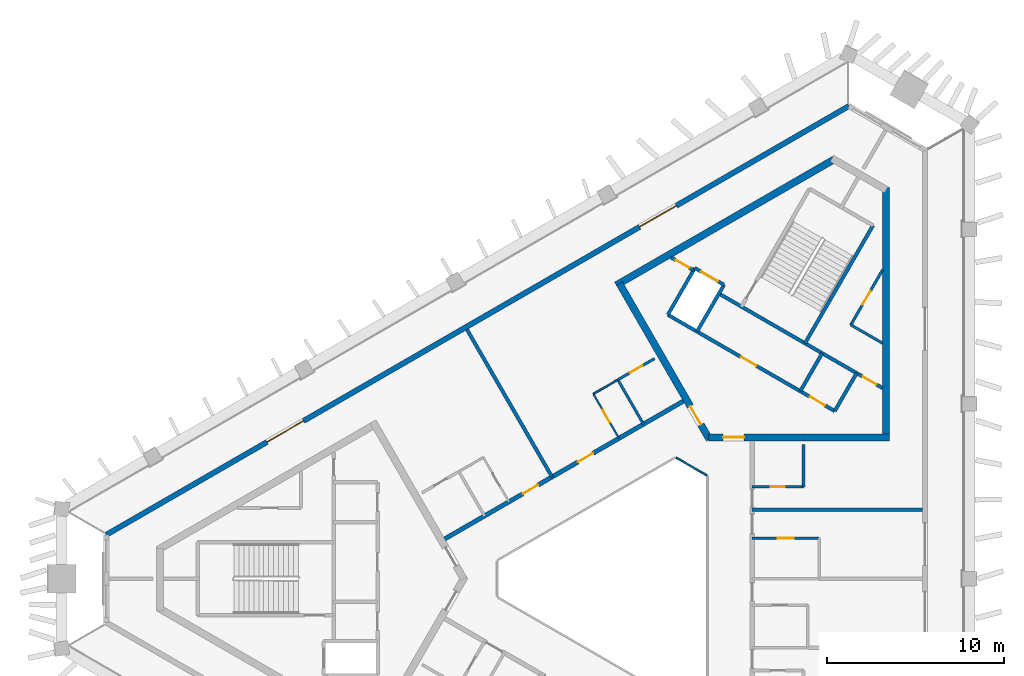
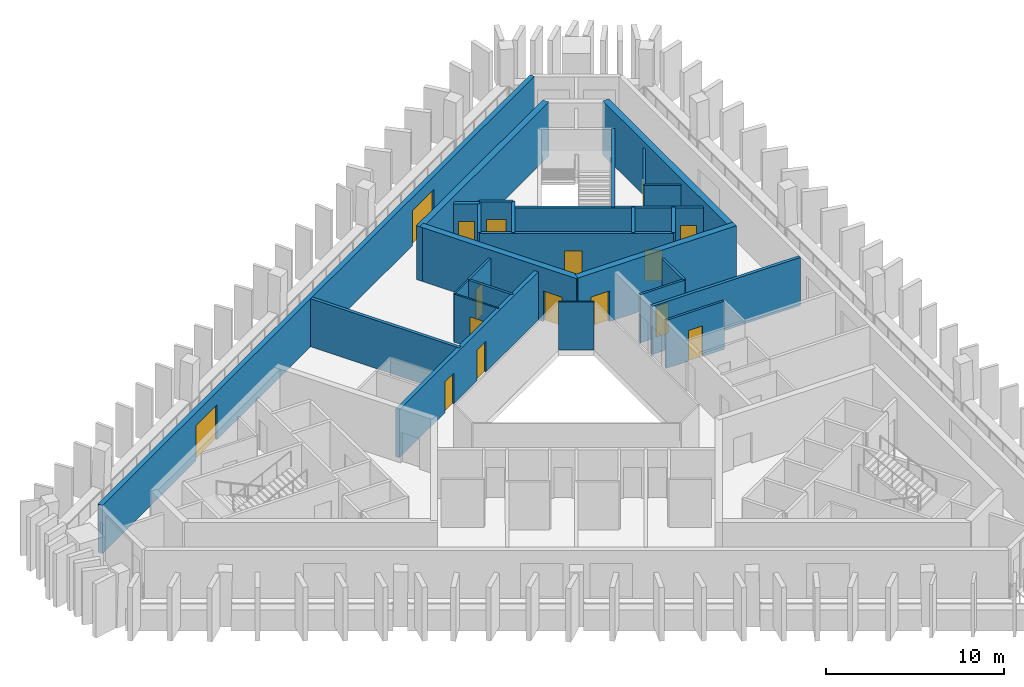
# One storey, part 5 of 9: 27 walls, 16 doors, 16 openings.
"""IFC4 building model written with IfcOpenShell, lengths in metres."""

from ifc_helpers import new_model, si_unit, direction, frame, frame_2d, origin, place, context, subcontext, project, spatial, rectangle, extrude, material, layer, layer_set, type_object, element, fill, save


model = new_model("IFC4")

# Units and contexts
model_context = context("Model", 3, precision=1e-05, world=origin(), true_north=direction((0.0, 1.0)))
body_context = subcontext(model_context, "Body", "Model", "MODEL_VIEW")
ifc_project = project(units=[si_unit("LENGTHUNIT", "METRE"), si_unit("AREAUNIT", "SQUARE_METRE"), si_unit("VOLUMEUNIT", "CUBIC_METRE"), si_unit("PLANEANGLEUNIT", "RADIAN"), si_unit("MASSUNIT", "GRAM", prefix="KILO")], contexts=[model_context])

# Site, building, storey
site_placement = place(None, origin())
site = spatial("IfcSite", under=ifc_project, at=site_placement, CompositionType="ELEMENT")
building_placement = place(site_placement, origin())
building = spatial("IfcBuilding", under=site, at=building_placement, Name="Jabali Bay Hotel Tower and Convention Centre", CompositionType="ELEMENT")
storey_placement = place(building_placement, frame((0.0, 0.0, 259.0)))
storey = spatial("IfcBuildingStorey", under=building, at=storey_placement, Name="L63", CompositionType="ELEMENT", Elevation=259.0)

# Wall
ifc_material_1 = material(Name="Fire-resistant glazing", Category="glass")
ifc_layer_1 = layer(ifc_material_1, 0.10009765625)
ifc_layer_set_1 = layer_set([ifc_layer_1], Name="Fire-resistant glazing")
wall_type_1 = type_object("IfcWallType", Name="Atrium glazed screen 100", PredefinedType="PARTITIONING", material=ifc_layer_set_1)
wall_1_placement = place(storey_placement, frame((79.530029296875, 85.84619140625, 0.0), z_axis=(0.0, 0.0, 1.0), x_axis=(-0.866041268327, 0.499972520799, 0.0)))
element("IfcWall", 1, at=wall_1_placement, inside=storey, type_object=wall_type_1, Name="Atrium screen 2 L63", PredefinedType="PARTITIONING", context=body_context, shape_type="SweptSolid", body=[
    extrude(rectangle(XDim=2.0, YDim=0.10009765625, at=frame_2d((1.0, 0.0))), origin(), (0.0, 0.0, 1.0), 3.300048828125),
])

# Wall, opening, door
ifc_material_2 = material(Name="Concrete C40", Category="concrete")
ifc_layer_2 = layer(ifc_material_2, 0.199951171875)
ifc_layer_set_2 = layer_set([ifc_layer_2], Name="Concrete C40")
wall_type_2 = type_object("IfcWallType", Name="Core partition wall 200", PredefinedType="PARTITIONING", material=ifc_layer_set_2)
wall_2_placement = place(storey_placement, frame((78.7802734375, 97.447509765625, 0.0), z_axis=(0.0, 0.0, 1.0), x_axis=(-0.866045896294, 0.499964504253, 0.0)))
wall_2 = element("IfcWall", 2, at=wall_2_placement, inside=storey, type_object=wall_type_2, Name="Core wall 1.10 L63", PredefinedType="PARTITIONING", context=body_context, shape_type="SweptSolid", body=[
    extrude(rectangle(XDim=1.455078125, YDim=0.199951171875, at=frame_2d((0.7275390625, 0.0))), origin(), (0.0, 0.0, 1.0), 3.300048828125),
])
opening_1_placement = place(wall_2_placement, frame((0.277587890625, 0.0, 0.0)))
opening_1 = element("IfcOpeningElement", 3, at=opening_1_placement, cuts=wall_2, Name="Opening D1389", PredefinedType="OPENING", context=body_context, shape_type="SweptSolid", body=[
    extrude(rectangle(XDim=0.89990234375, YDim=2.10009765625, at=frame_2d((0.449951171875, 1.050048828125))), frame((0.0, 0.1103515625, 0.0), z_axis=(0.0, -1.0, 0.0), x_axis=(1.0, 0.0, 0.0)), (0.0, 0.0, 1.0), 0.220947265625),
])
ifc_material_3 = material(Name="Fire-rated steel door", Category="steel")
door_type_1 = type_object("IfcDoorType", Name="Vestibule fire door 900 x 2100", OperationType="NOTDEFINED", PredefinedType="NOTDEFINED", material=ifc_material_3)
door_1_placement = place(opening_1_placement, origin())
door_1 = element("IfcDoor", 4, at=door_1_placement, inside=storey, type_object=door_type_1, Name="Vestibule fire door D1389", OperationType="SINGLE_SWING_LEFT", OverallHeight=2.10009765625, OverallWidth=0.89990234375, PredefinedType="NOTDEFINED", context=body_context, shape_type="SweptSolid", body=[
    extrude(rectangle(XDim=0.89990234375, YDim=2.10009765625, at=frame_2d((0.449951171875, 1.050048828125))), frame((0.0, 0.02490234375, 0.0), z_axis=(0.0, -1.0, 0.0), x_axis=(1.0, 0.0, 0.0)), (0.0, 0.0, 1.0), 0.050048828125),
])
fill(opening_1, door_1)

ifc_material_4 = material(Name="Fire-rated board partition")
ifc_layer_3 = layer(ifc_material_4, 0.14990234375)
ifc_layer_set_3 = layer_set([ifc_layer_3], Name="Fire-rated board partition")
wall_type_3 = type_object("IfcWallType", Name="Core room partition 150", PredefinedType="PARTITIONING", material=ifc_layer_set_3)
wall_3_placement = place(storey_placement, frame((87.680908203125, 94.364013671875, 0.0), z_axis=(0.0, 0.0, 1.0), x_axis=(0.500014173611, 0.866017220491, 0.0)))
wall_3 = element("IfcWall", 5, at=wall_3_placement, inside=storey, type_object=wall_type_3, Name="Core wall 1.1 L63", PredefinedType="PARTITIONING", context=body_context, shape_type="SweptSolid", body=[
    extrude(rectangle(XDim=3.59814453125, YDim=0.14990234375, at=frame_2d((1.799072265625, 0.0))), origin(), (0.0, 0.0, 1.0), 3.300048828125),
])
opening_2_placement = place(wall_3_placement, frame((1.321533203125, 0.0, 0.0)))
opening_2 = element("IfcOpeningElement", 6, at=opening_2_placement, cuts=wall_3, Name="Opening D1392", PredefinedType="OPENING", context=body_context, shape_type="SweptSolid", body=[
    extrude(rectangle(XDim=0.89990234375, YDim=2.10009765625, at=frame_2d((0.449951171875, 1.050048828125))), frame((0.0, 0.08544921875, 0.0), z_axis=(0.0, -1.0, 0.0), x_axis=(1.0, 0.0, 0.0)), (0.0, 0.0, 1.0), 0.1708984375),
])
door_type_2 = type_object("IfcDoorType", Name="Core room door 900 x 2100", OperationType="NOTDEFINED", PredefinedType="NOTDEFINED", material=ifc_material_3)
door_2_placement = place(opening_2_placement, origin())
door_2 = element("IfcDoor", 7, at=door_2_placement, inside=storey, type_object=door_type_2, Name="Core room door D1392", OperationType="SINGLE_SWING_LEFT", OverallHeight=2.10009765625, OverallWidth=0.89990234375, PredefinedType="NOTDEFINED", context=body_context, shape_type="SweptSolid", body=[
    extrude(rectangle(XDim=0.89990234375, YDim=2.10009765625, at=frame_2d((0.449951171875, 1.050048828125))), frame((0.0, 0.02490234375, 0.0), z_axis=(0.0, -1.0, 0.0), x_axis=(1.0, 0.0, 0.0)), (0.0, 0.0, 1.0), 0.050048828125),
])
fill(opening_2, door_2)

# Walls
wall_4_placement = place(storey_placement, frame((89.47998046875, 93.3251953125, 0.0), z_axis=(0.0, 0.0, 1.0), x_axis=(-0.865999660441, 0.500044586128, 0.0)))
element("IfcWall", 8, at=wall_4_placement, inside=storey, type_object=wall_type_3, Name="Core wall 1.12 L63", PredefinedType="PARTITIONING", context=body_context, shape_type="SweptSolid", body=[
    extrude(rectangle(XDim=2.077392578125, YDim=0.14990234375, at=frame_2d((1.03857421875, 0.0))), origin(), (0.0, 0.0, 1.0), 3.300048828125),
])
ifc_layer_4 = layer(ifc_material_2, 0.199951171875)
ifc_layer_set_4 = layer_set([ifc_layer_4], Name="Concrete C40")
wall_type_4 = type_object("IfcWallType", Name="Core stair wall 200", PredefinedType="SOLIDWALL", material=ifc_layer_set_4)
for number, where, z_axis, x_axis, name in (
    (9, (86.769775390625, 89.48583984375, 0.0), (0.0, 0.0, 1.0), (0.499961042966, 0.86604789447, 0.0), "Core wall 1.0 L63"),
    (10, (84.8212890625, 90.61083984375, 0.0), (0.0, 0.0, 1.0), (0.499961042966, 0.86604789447, 0.0), "Core wall 1.2 L63"),
):
    element("IfcWall", number, at=place(storey_placement, frame(where, z_axis=z_axis, x_axis=x_axis)), inside=storey, type_object=wall_type_4, Name=name, PredefinedType="SOLIDWALL", context=body_context, shape_type="SweptSolid", body=[
        extrude(rectangle(XDim=2.480224609375, YDim=0.199951171875, at=frame_2d((1.240234375, 0.0))), origin(), (0.0, 0.0, 1.0), 3.300048828125),
    ])
wall_5_placement = place(storey_placement, frame((85.0869140625, 93.3212890625, 0.0), z_axis=(0.0, 0.0, 1.0), x_axis=(0.500019787375, 0.866013979237, 0.0)))
element("IfcWall", 11, at=wall_5_placement, inside=storey, type_object=wall_type_4, Name="Core wall 1.3 L63", PredefinedType="SOLIDWALL", context=body_context, shape_type="SweptSolid", body=[
    extrude(rectangle(XDim=7.699951171875, YDim=0.199951171875, at=frame_2d((3.85009765625, 0.0))), origin(), (0.0, 0.0, 1.0), 3.300048828125),
])
for number, where, z_axis, x_axis, name in (
    (12, (78.9755859375, 93.98583984375, 0.0), (0.0, 0.0, 1.0), (0.499944174705, 0.866057632134, 0.0), "Core wall 1.6 L63"),
    (13, (77.330078125, 94.93603515625, 0.0), (0.0, 0.0, 1.0), (0.500038867431, 0.8660029625, 0.0), "Core wall 1.7 L63"),
):
    element("IfcWall", number, at=place(storey_placement, frame(where, z_axis=z_axis, x_axis=x_axis)), inside=storey, type_object=wall_type_4, Name=name, PredefinedType="SOLIDWALL", context=body_context, shape_type="SweptSolid", body=[
        extrude(rectangle(XDim=3.050048828125, YDim=0.199951171875, at=frame_2d((1.52490234375, 0.0))), origin(), (0.0, 0.0, 1.0), 3.300048828125),
    ])

# Wall, openings, doors
wall_6_placement = place(storey_placement, frame((86.769775390625, 89.48583984375, 0.0), z_axis=(0.0, 0.0, 1.0), x_axis=(-0.86601811187, 0.500012629753, 0.0)))
wall_6 = element("IfcWall", 14, at=wall_6_placement, inside=storey, type_object=wall_type_4, Name="Core wall 1.8 L63", PredefinedType="SOLIDWALL", context=body_context, shape_type="SweptSolid", body=[
    extrude(rectangle(XDim=10.900146484375, YDim=0.199951171875, at=frame_2d((5.4501953125, 0.0))), origin(), (0.0, 0.0, 1.0), 3.300048828125),
])
opening_3_placement = place(wall_6_placement, frame((0.625, 0.0, 0.0)))
opening_3 = element("IfcOpeningElement", 15, at=opening_3_placement, cuts=wall_6, Name="Opening D1387", PredefinedType="OPENING", context=body_context, shape_type="SweptSolid", body=[
    extrude(rectangle(XDim=1.0, YDim=2.10009765625, at=frame_2d((0.5, 1.050048828125))), frame((0.0, 0.1103515625, 0.0), z_axis=(0.0, -1.0, 0.0), x_axis=(1.0, 0.0, 0.0)), (0.0, 0.0, 1.0), 0.220947265625),
])
opening_4_placement = place(wall_6_placement, frame((5.125, 0.0, 0.0)))
opening_4 = element("IfcOpeningElement", 16, at=opening_4_placement, cuts=wall_6, Name="Opening D1388", PredefinedType="OPENING", context=body_context, shape_type="SweptSolid", body=[
    extrude(rectangle(XDim=1.0, YDim=2.10009765625, at=frame_2d((0.5, 1.050048828125))), frame((0.0, 0.1103515625, 0.0), z_axis=(0.0, -1.0, 0.0), x_axis=(1.0, 0.0, 0.0)), (0.0, 0.0, 1.0), 0.220947265625),
])
door_type_3 = type_object("IfcDoorType", Name="Core room door 1000 x 2100", OperationType="NOTDEFINED", PredefinedType="NOTDEFINED", material=ifc_material_3)
door_3_placement = place(opening_3_placement, origin())
door_3 = element("IfcDoor", 17, at=door_3_placement, inside=storey, type_object=door_type_3, Name="Core room door D1387", OperationType="SINGLE_SWING_RIGHT", OverallHeight=2.10009765625, OverallWidth=1.0, PredefinedType="NOTDEFINED", context=body_context, shape_type="SweptSolid", body=[
    extrude(rectangle(XDim=1.0, YDim=2.10009765625, at=frame_2d((0.5, 1.050048828125))), frame((0.0, 0.02490234375, 0.0), z_axis=(0.0, -1.0, 0.0), x_axis=(1.0, 0.0, 0.0)), (0.0, 0.0, 1.0), 0.050048828125),
])
fill(opening_3, door_3)
door_4_placement = place(opening_4_placement, origin())
door_4 = element("IfcDoor", 18, at=door_4_placement, inside=storey, type_object=door_type_3, Name="Core room door D1388", OperationType="SINGLE_SWING_RIGHT", OverallHeight=2.10009765625, OverallWidth=1.0, PredefinedType="NOTDEFINED", context=body_context, shape_type="SweptSolid", body=[
    extrude(rectangle(XDim=1.0, YDim=2.10009765625, at=frame_2d((0.5, 1.050048828125))), frame((0.0, 0.02490234375, 0.0), z_axis=(0.0, -1.0, 0.0), x_axis=(1.0, 0.0, 0.0)), (0.0, 0.0, 1.0), 0.050048828125),
])
fill(opening_4, door_4)

# Wall, opening, door
wall_7_placement = place(storey_placement, frame((89.47998046875, 90.784912109375, 0.0), z_axis=(0.0, 0.0, 1.0), x_axis=(-0.866022544512, 0.500004952373, 0.0)))
wall_7 = element("IfcWall", 19, at=wall_7_placement, inside=storey, type_object=wall_type_4, Name="Core wall 1.9 L63", PredefinedType="SOLIDWALL", context=body_context, shape_type="SweptSolid", body=[
    extrude(rectangle(XDim=10.69775390625, YDim=0.199951171875, at=frame_2d((5.348876953125, 0.0))), origin(), (0.0, 0.0, 1.0), 3.300048828125),
])
opening_5_placement = place(wall_7_placement, frame((0.398681640625, 0.0, 0.0)))
opening_5 = element("IfcOpeningElement", 20, at=opening_5_placement, cuts=wall_7, Name="Opening D1390", PredefinedType="OPENING", context=body_context, shape_type="SweptSolid", body=[
    extrude(rectangle(XDim=0.89990234375, YDim=2.10009765625, at=frame_2d((0.449951171875, 1.050048828125))), frame((0.0, 0.1103515625, 0.0), z_axis=(0.0, -1.0, 0.0), x_axis=(1.0, 0.0, 0.0)), (0.0, 0.0, 1.0), 0.220947265625),
])
door_5_placement = place(opening_5_placement, origin())
door_5 = element("IfcDoor", 21, at=door_5_placement, inside=storey, type_object=door_type_1, Name="Vestibule fire door D1390", OperationType="SINGLE_SWING_LEFT", OverallHeight=2.10009765625, OverallWidth=0.89990234375, PredefinedType="NOTDEFINED", context=body_context, shape_type="SweptSolid", body=[
    extrude(rectangle(XDim=0.89990234375, YDim=2.10009765625, at=frame_2d((0.449951171875, 1.050048828125))), frame((0.0, 0.02490234375, 0.0), z_axis=(0.0, -1.0, 0.0), x_axis=(1.0, 0.0, 0.0)), (0.0, 0.0, 1.0), 0.050048828125),
])
fill(opening_5, door_5)

wall_8_placement = place(storey_placement, frame((80.50048828125, 96.62744140625, 0.0), z_axis=(0.0, 0.0, 1.0), x_axis=(-0.86601224135, 0.500022797313, 0.0)))
wall_8 = element("IfcWall", 22, at=wall_8_placement, inside=storey, type_object=wall_type_4, Name="Core wall 1.11 L63", PredefinedType="SOLIDWALL", context=body_context, shape_type="SweptSolid", body=[
    extrude(rectangle(XDim=1.89990234375, YDim=0.199951171875, at=frame_2d((0.949951171875, 0.0))), origin(), (0.0, 0.0, 1.0), 3.300048828125),
])
opening_6_placement = place(wall_8_placement, frame((0.39990234375, 0.0, 0.0)))
opening_6 = element("IfcOpeningElement", 23, at=opening_6_placement, cuts=wall_8, Name="Opening LD10-L63", PredefinedType="OPENING", context=body_context, shape_type="SweptSolid", body=[
    extrude(rectangle(XDim=1.10009765625, YDim=2.10009765625, at=frame_2d((0.550048828125, 1.050048828125))), frame((0.0, 0.1103515625, 0.0), z_axis=(0.0, -1.0, 0.0), x_axis=(1.0, 0.0, 0.0)), (0.0, 0.0, 1.0), 0.220947265625),
])
ifc_material_5 = material(Name="Stainless steel landing door", Category="steel")
door_type_4 = type_object("IfcDoorType", Name="Landing door 1100 x 2100", OperationType="NOTDEFINED", PredefinedType="NOTDEFINED", material=ifc_material_5)
door_6_placement = place(opening_6_placement, origin())
door_6 = element("IfcDoor", 24, at=door_6_placement, inside=storey, type_object=door_type_4, Name="Landing doors LD10-L63", OperationType="SLIDING_TO_RIGHT", OverallHeight=2.10009765625, OverallWidth=1.10009765625, PredefinedType="NOTDEFINED", context=body_context, shape_type="SweptSolid", body=[
    extrude(rectangle(XDim=1.10009765625, YDim=2.10009765625, at=frame_2d((0.550048828125, 1.050048828125))), frame((0.0, 0.02490234375, 0.0), z_axis=(0.0, -1.0, 0.0), x_axis=(1.0, 0.0, 0.0)), (0.0, 0.0, 1.0), 0.050048828125),
])
fill(opening_6, door_6)

ifc_material_6 = material(Name="Concrete C60", Category="concrete")
ifc_layer_5 = layer(ifc_material_6, 0.39990234375)
ifc_layer_set_5 = layer_set([ifc_layer_5], Name="Concrete C60")
wall_type_5 = type_object("IfcWallType", Name="Core wall 400", PredefinedType="SHEAR", material=ifc_layer_set_5)
wall_9_placement = place(storey_placement, frame((79.615478515625, 87.994140625, 0.0), z_axis=(0.0, 0.0, 1.0), x_axis=(1.0, 0.0, 0.0)))
wall_9 = element("IfcWall", 25, at=wall_9_placement, inside=storey, type_object=wall_type_5, Name="Core wall 2.1 L63", PredefinedType="SHEAR", context=body_context, shape_type="SweptSolid", body=[
    extrude(rectangle(XDim=10.264404296875, YDim=0.39990234375, at=frame_2d((5.13232421875, 0.0))), origin(), (0.0, 0.0, 1.0), 3.699951171875),
])
opening_7_placement = place(wall_9_placement, frame((0.83447265625, 0.0, 0.0)))
opening_7 = element("IfcOpeningElement", 26, at=opening_7_placement, cuts=wall_9, Name="Opening D1385", PredefinedType="OPENING", context=body_context, shape_type="SweptSolid", body=[
    extrude(rectangle(XDim=1.199951171875, YDim=2.10009765625, at=frame_2d((0.60009765625, 1.050048828125))), frame((0.0, 0.21044921875, 0.0), z_axis=(0.0, -1.0, 0.0), x_axis=(1.0, 0.0, 0.0)), (0.0, 0.0, 1.0), 0.4208984375),
])
door_type_5 = type_object("IfcDoorType", Name="Corridor end fire door 1200 x 2100", OperationType="NOTDEFINED", PredefinedType="NOTDEFINED", material=ifc_material_3)
door_7_placement = place(opening_7_placement, origin())
door_7 = element("IfcDoor", 27, at=door_7_placement, inside=storey, type_object=door_type_5, Name="Corridor end fire door D1385", OperationType="SINGLE_SWING_RIGHT", OverallHeight=2.10009765625, OverallWidth=1.199951171875, PredefinedType="NOTDEFINED", context=body_context, shape_type="SweptSolid", body=[
    extrude(rectangle(XDim=1.199951171875, YDim=2.10009765625, at=frame_2d((0.60009765625, 1.050048828125))), frame((0.0, 0.02490234375, 0.0), z_axis=(0.0, -1.0, 0.0), x_axis=(1.0, 0.0, 0.0)), (0.0, 0.0, 1.0), 0.050048828125),
])
fill(opening_7, door_7)

# Walls
wall_10_placement = place(storey_placement, frame((89.679931640625, 87.994140625, 0.0), z_axis=(0.0, 0.0, 1.0), x_axis=(0.0, 1.0, 0.0)))
element("IfcWall", 28, at=wall_10_placement, inside=storey, type_object=wall_type_5, Name="Core wall 2.2 L63", PredefinedType="SHEAR", context=body_context, shape_type="SweptSolid", body=[
    extrude(rectangle(XDim=14.133544921875, YDim=0.39990234375, at=frame_2d((7.06689453125, 0.0))), origin(), (0.0, 0.0, 1.0), 3.699951171875),
])
wall_11_placement = place(storey_placement, frame((86.72314453125, 103.71923828125, 0.0), z_axis=(0.0, 0.0, 1.0), x_axis=(-0.866030317223, -0.499991489579, 0.0)))
element("IfcWall", 29, at=wall_11_placement, inside=storey, type_object=wall_type_5, Name="Core wall 2.4 L63", PredefinedType="SHEAR", context=body_context, shape_type="SweptSolid", body=[
    extrude(rectangle(XDim=14.218017578125, YDim=0.39990234375, at=frame_2d((7.10888671875, 0.0))), origin(), (0.0, 0.0, 1.0), 3.699951171875),
])

# Wall, opening, door
wall_12_placement = place(storey_placement, frame((74.583251953125, 96.71044921875, 0.0), z_axis=(0.0, 0.0, 1.0), x_axis=(0.499987488796, -0.866032627011, 0.0)))
wall_12 = element("IfcWall", 30, at=wall_12_placement, inside=storey, type_object=wall_type_5, Name="Core wall 2.5 L63", PredefinedType="SHEAR", context=body_context, shape_type="SweptSolid", body=[
    extrude(rectangle(XDim=10.179931640625, YDim=0.39990234375, at=frame_2d((5.08984375, 0.0))), origin(), (0.0, 0.0, 1.0), 3.699951171875),
])
opening_8_placement = place(wall_12_placement, frame((8.030029296875, 0.0, 0.0)))
opening_8 = element("IfcOpeningElement", 31, at=opening_8_placement, cuts=wall_12, Name="Opening D1386", PredefinedType="OPENING", context=body_context, shape_type="SweptSolid", body=[
    extrude(rectangle(XDim=1.199951171875, YDim=2.10009765625, at=frame_2d((0.60009765625, 1.050048828125))), frame((0.0, 0.21044921875, 0.0), z_axis=(0.0, -1.0, 0.0), x_axis=(1.0, 0.0, 0.0)), (0.0, 0.0, 1.0), 0.4208984375),
])
door_8_placement = place(opening_8_placement, origin())
door_8 = element("IfcDoor", 32, at=door_8_placement, inside=storey, type_object=door_type_5, Name="Corridor end fire door D1386", OperationType="SINGLE_SWING_LEFT", OverallHeight=2.10009765625, OverallWidth=1.199951171875, PredefinedType="NOTDEFINED", context=body_context, shape_type="SweptSolid", body=[
    extrude(rectangle(XDim=1.199951171875, YDim=2.10009765625, at=frame_2d((0.60009765625, 1.050048828125))), frame((0.0, 0.02490234375, 0.0), z_axis=(0.0, -1.0, 0.0), x_axis=(1.0, 0.0, 0.0)), (0.0, 0.0, 1.0), 0.050048828125),
])
fill(opening_8, door_8)

# Wall, openings, doors
ifc_layer_6 = layer(ifc_material_6, 0.25)
ifc_layer_set_6 = layer_set([ifc_layer_6], Name="Concrete C60")
wall_type_6 = type_object("IfcWallType", Name="Corridor wall 250", PredefinedType="SHEAR", material=ifc_layer_set_6)
wall_13_placement = place(storey_placement, frame((78.199951171875, 90.0458984375, 0.0), z_axis=(0.0, 0.0, 1.0), x_axis=(-0.866026492143, -0.499998114903, 0.0)))
wall_13 = element("IfcWall", 33, at=wall_13_placement, inside=storey, type_object=wall_type_6, Name="Corridor wall 2 L63", PredefinedType="SHEAR", context=body_context, shape_type="SweptSolid", body=[
    extrude(rectangle(XDim=15.58837890625, YDim=0.25, at=frame_2d((7.794189453125, 0.0))), origin(), (0.0, 0.0, 1.0), 3.300048828125),
])
opening_9_placement = place(wall_13_placement, frame((5.88671875, 0.0, 0.0)))
opening_9 = element("IfcOpeningElement", 34, at=opening_9_placement, cuts=wall_13, Name="Opening 6311", PredefinedType="OPENING", context=body_context, shape_type="SweptSolid", body=[
    extrude(rectangle(XDim=1.0, YDim=2.10009765625, at=frame_2d((0.5, 1.050048828125))), frame((0.0, 0.135498046875, 0.0), z_axis=(0.0, -1.0, 0.0), x_axis=(1.0, 0.0, 0.0)), (0.0, 0.0, 1.0), 0.27099609375),
])
opening_10_placement = place(wall_13_placement, frame((9.481201171875, 0.0, 0.0)))
opening_10 = element("IfcOpeningElement", 35, at=opening_10_placement, cuts=wall_13, Name="Opening 6314", PredefinedType="OPENING", context=body_context, shape_type="SweptSolid", body=[
    extrude(rectangle(XDim=1.0, YDim=2.10009765625, at=frame_2d((0.5, 1.050048828125))), frame((0.0, 0.135498046875, 0.0), z_axis=(0.0, -1.0, 0.0), x_axis=(1.0, 0.0, 0.0)), (0.0, 0.0, 1.0), 0.27099609375),
])
ifc_material_7 = material(Name="Timber", Category="wood")
door_type_6 = type_object("IfcDoorType", Name="Guest room door 1000 x 2100", OperationType="NOTDEFINED", PredefinedType="NOTDEFINED", material=ifc_material_7)
door_9_placement = place(opening_9_placement, origin())
door_9 = element("IfcDoor", 36, at=door_9_placement, inside=storey, type_object=door_type_6, Name="Door 6311", OperationType="SINGLE_SWING_LEFT", OverallHeight=2.10009765625, OverallWidth=1.0, PredefinedType="NOTDEFINED", context=body_context, shape_type="SweptSolid", body=[
    extrude(rectangle(XDim=1.0, YDim=2.10009765625, at=frame_2d((0.5, 1.050048828125))), frame((0.0, 0.02490234375, 0.0), z_axis=(0.0, -1.0, 0.0), x_axis=(1.0, 0.0, 0.0)), (0.0, 0.0, 1.0), 0.050048828125),
])
fill(opening_9, door_9)
door_10_placement = place(opening_10_placement, origin())
door_10 = element("IfcDoor", 37, at=door_10_placement, inside=storey, type_object=door_type_6, Name="Door 6314", OperationType="SINGLE_SWING_RIGHT", OverallHeight=2.10009765625, OverallWidth=1.0, PredefinedType="NOTDEFINED", context=body_context, shape_type="SweptSolid", body=[
    extrude(rectangle(XDim=1.0, YDim=2.10009765625, at=frame_2d((0.5, 1.050048828125))), frame((0.0, 0.02490234375, 0.0), z_axis=(0.0, -1.0, 0.0), x_axis=(1.0, 0.0, 0.0)), (0.0, 0.0, 1.0), 0.050048828125),
])
fill(opening_10, door_10)

ifc_layer_7 = layer(ifc_material_2, 0.300048828125)
ifc_layer_set_7 = layer_set([ifc_layer_7], Name="Concrete C40")
wall_type_7 = type_object("IfcWallType", Name="External wall 300", PredefinedType="SOLIDWALL", material=ifc_layer_set_7)
wall_14_placement = place(storey_placement, frame((45.546142578125, 82.482421875, 0.0), z_axis=(0.0, 0.0, 1.0), x_axis=(0.86602550179, 0.499999830249, 0.0)))
wall_14 = element("IfcWall", 38, at=wall_14_placement, inside=storey, type_object=wall_type_7, Name="External wall north-west face L63", PredefinedType="SOLIDWALL", context=body_context, shape_type="SweptSolid", body=[
    extrude(rectangle(XDim=48.533203125, YDim=0.300048828125, at=frame_2d((24.2666015625, 0.0))), origin(), (0.0, 0.0, 1.0), 3.300048828125),
])
opening_11_placement = place(wall_14_placement, frame((34.853759765625, 0.0, 0.0)))
opening_11 = element("IfcOpeningElement", 39, at=opening_11_placement, cuts=wall_14, Name="Opening SD1", PredefinedType="OPENING", context=body_context, shape_type="SweptSolid", body=[
    extrude(rectangle(XDim=2.39990234375, YDim=2.39990234375, at=frame_2d((1.199951171875, 1.199951171875))), frame((0.0, 0.16064453125, 0.0), z_axis=(0.0, -1.0, 0.0), x_axis=(1.0, 0.0, 0.0)), (0.0, 0.0, 1.0), 0.321044921875),
])
opening_12_placement = place(wall_14_placement, frame((10.500244140625, 0.0, 0.0)))
opening_12 = element("IfcOpeningElement", 40, at=opening_12_placement, cuts=wall_14, Name="Opening SD1", PredefinedType="OPENING", context=body_context, shape_type="SweptSolid", body=[
    extrude(rectangle(XDim=2.39990234375, YDim=2.39990234375, at=frame_2d((1.199951171875, 1.199951171875))), frame((0.0, 0.16064453125, 0.0), z_axis=(0.0, -1.0, 0.0), x_axis=(1.0, 0.0, 0.0)), (0.0, 0.0, 1.0), 0.321044921875),
])
ifc_material_8 = material(Name="Glass", Category="glass")
door_type_7 = type_object("IfcDoorType", Name="Loggia sliding door 2400 x 2400", OperationType="NOTDEFINED", PredefinedType="NOTDEFINED", material=ifc_material_8)
door_11_placement = place(opening_11_placement, origin())
door_11 = element("IfcDoor", 41, at=door_11_placement, inside=storey, type_object=door_type_7, Name="Loggia sliding door 6305", OperationType="SLIDING_TO_LEFT", OverallHeight=2.39990234375, OverallWidth=2.39990234375, PredefinedType="NOTDEFINED", context=body_context, shape_type="SweptSolid", body=[
    extrude(rectangle(XDim=2.39990234375, YDim=2.39990234375, at=frame_2d((1.199951171875, 1.199951171875))), frame((0.0, 0.02490234375, 0.0), z_axis=(0.0, -1.0, 0.0), x_axis=(1.0, 0.0, 0.0)), (0.0, 0.0, 1.0), 0.050048828125),
])
fill(opening_11, door_11)
door_12_placement = place(opening_12_placement, origin())
door_12 = element("IfcDoor", 42, at=door_12_placement, inside=storey, type_object=door_type_7, Name="Loggia sliding door 6306", OperationType="SLIDING_TO_RIGHT", OverallHeight=2.39990234375, OverallWidth=2.39990234375, PredefinedType="NOTDEFINED", context=body_context, shape_type="SweptSolid", body=[
    extrude(rectangle(XDim=2.39990234375, YDim=2.39990234375, at=frame_2d((1.199951171875, 1.199951171875))), frame((0.0, 0.02490234375, 0.0), z_axis=(0.0, -1.0, 0.0), x_axis=(1.0, 0.0, 0.0)), (0.0, 0.0, 1.0), 0.050048828125),
])
fill(opening_12, door_12)

# Wall, opening, door
ifc_material_9 = material(Name="Plasterboard on steel stud", Category="steel")
ifc_layer_8 = layer(ifc_material_9, 0.10009765625)
ifc_layer_set_8 = layer_set([ifc_layer_8], Name="Plasterboard on steel stud")
wall_type_8 = type_object("IfcWallType", Name="Partition 100 unit", PredefinedType="PARTITIONING", material=ifc_layer_set_8)
wall_15_placement = place(storey_placement, frame((74.562744140625, 87.94580078125, 0.0), z_axis=(0.0, 0.0, 1.0), x_axis=(-0.499987231761, 0.866032775405, 0.0)))
wall_15 = element("IfcWall", 43, at=wall_15_placement, inside=storey, type_object=wall_type_8, Name="Partition P02 L63 017", PredefinedType="PARTITIONING", context=body_context, shape_type="SweptSolid", body=[
    extrude(rectangle(XDim=2.89990234375, YDim=0.10009765625, at=frame_2d((1.449951171875, 0.0))), origin(), (0.0, 0.0, 1.0), 3.300048828125),
])
opening_13_placement = place(wall_15_placement, frame((1.050048828125, 0.0, 0.0)))
opening_13 = element("IfcOpeningElement", 44, at=opening_13_placement, cuts=wall_15, Name="Opening 6310", PredefinedType="OPENING", context=body_context, shape_type="SweptSolid", body=[
    extrude(rectangle(XDim=0.800048828125, YDim=2.10009765625, at=frame_2d((0.39990234375, 1.050048828125))), frame((0.0, 0.060546875, 0.0), z_axis=(0.0, -1.0, 0.0), x_axis=(1.0, 0.0, 0.0)), (0.0, 0.0, 1.0), 0.12109375),
])
door_type_8 = type_object("IfcDoorType", Name="Dressing room door 800 x 2100", OperationType="NOTDEFINED", PredefinedType="NOTDEFINED", material=ifc_material_7)
door_13_placement = place(opening_13_placement, origin())
door_13 = element("IfcDoor", 45, at=door_13_placement, inside=storey, type_object=door_type_8, Name="Door 6310", OperationType="SINGLE_SWING_RIGHT", OverallHeight=2.10009765625, OverallWidth=0.800048828125, PredefinedType="NOTDEFINED", context=body_context, shape_type="SweptSolid", body=[
    extrude(rectangle(XDim=0.800048828125, YDim=2.10009765625, at=frame_2d((0.39990234375, 1.050048828125))), frame((0.0, 0.02490234375, 0.0), z_axis=(0.0, -1.0, 0.0), x_axis=(1.0, 0.0, 0.0)), (0.0, 0.0, 1.0), 0.050048828125),
])
fill(opening_13, door_13)

# Wall
wall_16_placement = place(storey_placement, frame((73.11279296875, 90.457275390625, 0.0), z_axis=(0.0, 0.0, 1.0), x_axis=(0.865989903783, 0.500061482766, 0.0)))
element("IfcWall", 46, at=wall_16_placement, inside=storey, type_object=wall_type_8, Name="Partition P02 L63 018", PredefinedType="PARTITIONING", context=body_context, shape_type="SweptSolid", body=[
    extrude(rectangle(XDim=1.599853515625, YDim=0.10009765625, at=frame_2d((0.7998046875, 0.0))), origin(), (0.0, 0.0, 1.0), 3.300048828125),
])

# Wall, opening, door
ifc_layer_9 = layer(ifc_material_9, 0.14990234375)
ifc_layer_set_9 = layer_set([ifc_layer_9], Name="Plasterboard on steel stud")
wall_type_9 = type_object("IfcWallType", Name="Partition 150 wet", PredefinedType="PARTITIONING", material=ifc_layer_set_9)
wall_17_placement = place(storey_placement, frame((82.10009765625, 82.297119140625, 0.0), z_axis=(0.0, 0.0, 1.0), x_axis=(1.0, 0.0, 0.0)))
wall_17 = element("IfcWall", 47, at=wall_17_placement, inside=storey, type_object=wall_type_9, Name="Partition P03 L63 010", PredefinedType="PARTITIONING", context=body_context, shape_type="SweptSolid", body=[
    extrude(rectangle(XDim=3.787353515625, YDim=0.14990234375, at=frame_2d((1.8935546875, 0.0))), origin(), (0.0, 0.0, 1.0), 3.300048828125),
])
opening_14_placement = place(wall_17_placement, frame((1.444091796875, 0.0, 0.0)))
opening_14 = element("IfcOpeningElement", 48, at=opening_14_placement, cuts=wall_17, Name="Opening 6305", PredefinedType="OPENING", context=body_context, shape_type="SweptSolid", body=[
    extrude(rectangle(XDim=0.89990234375, YDim=2.10009765625, at=frame_2d((0.449951171875, 1.050048828125))), frame((0.0, 0.08544921875, 0.0), z_axis=(0.0, -1.0, 0.0), x_axis=(1.0, 0.0, 0.0)), (0.0, 0.0, 1.0), 0.1708984375),
])
door_type_9 = type_object("IfcDoorType", Name="Accessible en-suite door 900 x 2100", OperationType="NOTDEFINED", PredefinedType="NOTDEFINED", material=ifc_material_7)
door_14_placement = place(opening_14_placement, origin())
door_14 = element("IfcDoor", 49, at=door_14_placement, inside=storey, type_object=door_type_9, Name="Door 6305", OperationType="SINGLE_SWING_RIGHT", OverallHeight=2.10009765625, OverallWidth=0.89990234375, PredefinedType="NOTDEFINED", context=body_context, shape_type="SweptSolid", body=[
    extrude(rectangle(XDim=0.89990234375, YDim=2.10009765625, at=frame_2d((0.449951171875, 1.050048828125))), frame((0.0, 0.02490234375, 0.0), z_axis=(0.0, -1.0, 0.0), x_axis=(1.0, 0.0, 0.0)), (0.0, 0.0, 1.0), 0.050048828125),
])
fill(opening_14, door_14)

# Wall
wall_18_placement = place(storey_placement, frame((85.0, 87.59521484375, 0.0), z_axis=(0.0, 0.0, 1.0), x_axis=(0.0, -1.0, 0.0)))
element("IfcWall", 50, at=wall_18_placement, inside=storey, type_object=wall_type_9, Name="Partition P03 L63 013", PredefinedType="PARTITIONING", context=body_context, shape_type="SweptSolid", body=[
    extrude(rectangle(XDim=2.398193359375, YDim=0.14990234375, at=frame_2d((1.19921875, 0.0))), origin(), (0.0, 0.0, 1.0), 3.300048828125),
])

# Wall, opening, door
wall_19_placement = place(storey_placement, frame((85.0, 85.197021484375, 0.0), z_axis=(0.0, 0.0, 1.0), x_axis=(-1.0, 0.0, 0.0)))
wall_19 = element("IfcWall", 51, at=wall_19_placement, inside=storey, type_object=wall_type_9, Name="Partition P03 L63 014", PredefinedType="PARTITIONING", context=body_context, shape_type="SweptSolid", body=[
    extrude(rectangle(XDim=2.89990234375, YDim=0.14990234375, at=frame_2d((1.449951171875, 0.0))), origin(), (0.0, 0.0, 1.0), 3.300048828125),
])
opening_15_placement = place(wall_19_placement, frame((1.050048828125, 0.0, 0.0)))
opening_15 = element("IfcOpeningElement", 52, at=opening_15_placement, cuts=wall_19, Name="Opening 6307", PredefinedType="OPENING", context=body_context, shape_type="SweptSolid", body=[
    extrude(rectangle(XDim=0.800048828125, YDim=2.10009765625, at=frame_2d((0.39990234375, 1.050048828125))), frame((0.0, 0.08544921875, 0.0), z_axis=(0.0, -1.0, 0.0), x_axis=(1.0, 0.0, 0.0)), (0.0, 0.0, 1.0), 0.1708984375),
])
door_type_10 = type_object("IfcDoorType", Name="En-suite door 800 x 2100", OperationType="NOTDEFINED", PredefinedType="NOTDEFINED", material=ifc_material_7)
door_15_placement = place(opening_15_placement, origin())
door_15 = element("IfcDoor", 53, at=door_15_placement, inside=storey, type_object=door_type_10, Name="Door 6307", OperationType="SINGLE_SWING_LEFT", OverallHeight=2.10009765625, OverallWidth=0.800048828125, PredefinedType="NOTDEFINED", context=body_context, shape_type="SweptSolid", body=[
    extrude(rectangle(XDim=0.800048828125, YDim=2.10009765625, at=frame_2d((0.39990234375, 1.050048828125))), frame((0.0, 0.02490234375, 0.0), z_axis=(0.0, -1.0, 0.0), x_axis=(1.0, 0.0, 0.0)), (0.0, 0.0, 1.0), 0.050048828125),
])
fill(opening_15, door_15)

wall_20_placement = place(storey_placement, frame((74.498291015625, 91.25732421875, 0.0), z_axis=(0.0, 0.0, 1.0), x_axis=(0.866038271014, 0.499977712642, 0.0)))
wall_20 = element("IfcWall", 54, at=wall_20_placement, inside=storey, type_object=wall_type_9, Name="Partition P03 L63 016", PredefinedType="PARTITIONING", context=body_context, shape_type="SweptSolid", body=[
    extrude(rectangle(XDim=2.40087890625, YDim=0.14990234375, at=frame_2d((1.200439453125, 0.0))), origin(), (0.0, 0.0, 1.0), 3.300048828125),
])
opening_16_placement = place(wall_20_placement, frame((0.801025390625, 0.0, 0.0)))
opening_16 = element("IfcOpeningElement", 55, at=opening_16_placement, cuts=wall_20, Name="Opening 6309", PredefinedType="OPENING", context=body_context, shape_type="SweptSolid", body=[
    extrude(rectangle(XDim=0.800048828125, YDim=2.10009765625, at=frame_2d((0.39990234375, 1.050048828125))), frame((0.0, 0.08544921875, 0.0), z_axis=(0.0, -1.0, 0.0), x_axis=(1.0, 0.0, 0.0)), (0.0, 0.0, 1.0), 0.1708984375),
])
door_16_placement = place(opening_16_placement, origin())
door_16 = element("IfcDoor", 56, at=door_16_placement, inside=storey, type_object=door_type_10, Name="Door 6309", OperationType="SINGLE_SWING_LEFT", OverallHeight=2.10009765625, OverallWidth=0.800048828125, PredefinedType="NOTDEFINED", context=body_context, shape_type="SweptSolid", body=[
    extrude(rectangle(XDim=0.800048828125, YDim=2.10009765625, at=frame_2d((0.39990234375, 1.050048828125))), frame((0.0, 0.02490234375, 0.0), z_axis=(0.0, -1.0, 0.0), x_axis=(1.0, 0.0, 0.0)), (0.0, 0.0, 1.0), 0.050048828125),
])
fill(opening_16, door_16)

# Walls
wall_21_placement = place(storey_placement, frame((74.498291015625, 91.25732421875, 0.0), z_axis=(0.0, 0.0, 1.0), x_axis=(0.499987231761, -0.866032775405, 0.0)))
element("IfcWall", 57, at=wall_21_placement, inside=storey, type_object=wall_type_9, Name="Partition P03 L63 020", PredefinedType="PARTITIONING", context=body_context, shape_type="SweptSolid", body=[
    extrude(rectangle(XDim=2.89990234375, YDim=0.14990234375, at=frame_2d((1.449951171875, 0.0))), origin(), (0.0, 0.0, 1.0), 3.300048828125),
])
ifc_layer_10 = layer(ifc_material_9, 0.199951171875)
ifc_layer_set_10 = layer_set([ifc_layer_10], Name="Plasterboard on steel stud")
wall_type_10 = type_object("IfcWallType", Name="Partition 200 party", PredefinedType="PARTITIONING", material=ifc_layer_set_10)
for number, where, z_axis, x_axis, name in (
    (58, (91.727783203125, 83.897216796875, 0.0), (0.0, 0.0, 1.0), (-1.0, 0.0, 0.0), "Partition P01 L63 012"),
    (59, (65.961181640625, 94.096923828125, 0.0), (0.0, 0.0, 1.0), (0.499987326052, -0.866032720968, 0.0), "Partition P01 L63 019"),
):
    element("IfcWall", number, at=place(storey_placement, frame(where, z_axis=z_axis, x_axis=x_axis)), inside=storey, type_object=wall_type_10, Name=name, PredefinedType="PARTITIONING", context=body_context, shape_type="SweptSolid", body=[
        extrude(rectangle(XDim=9.627685546875, YDim=0.199951171875, at=frame_2d((4.81396484375, 0.0))), origin(), (0.0, 0.0, 1.0), 3.300048828125),
    ])

save(model, "model.ifc")
